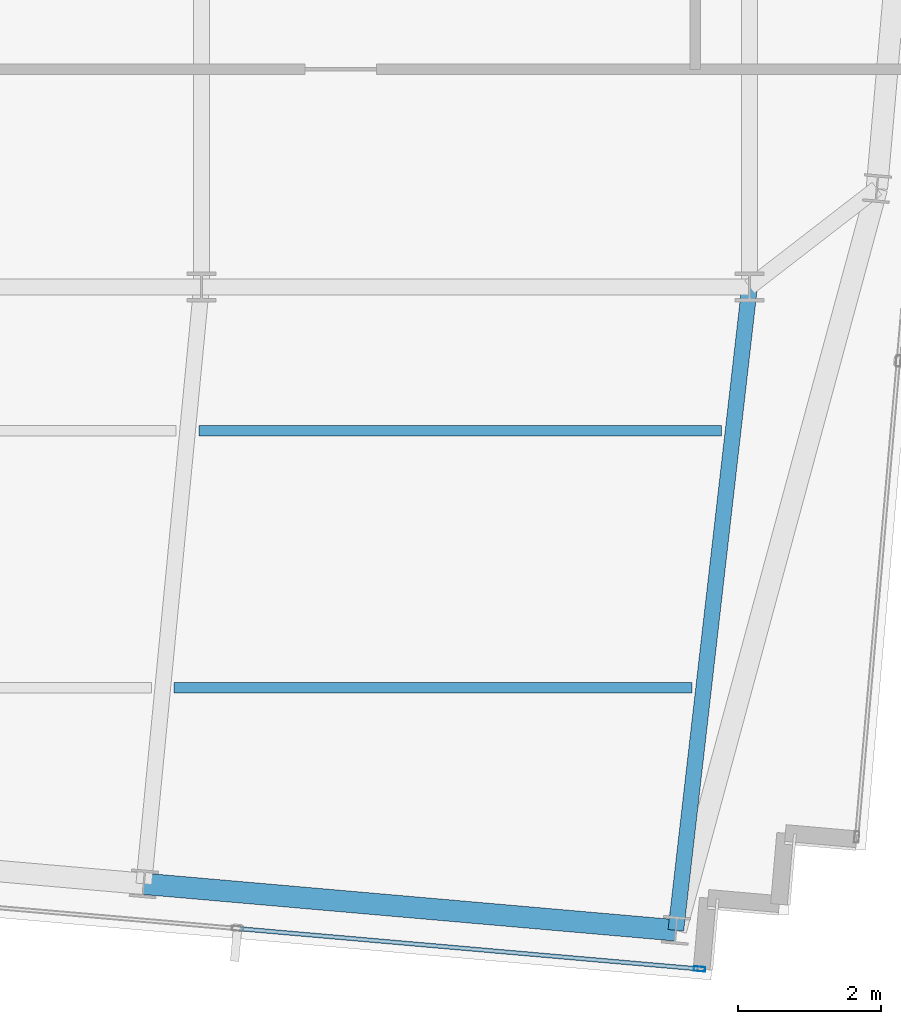
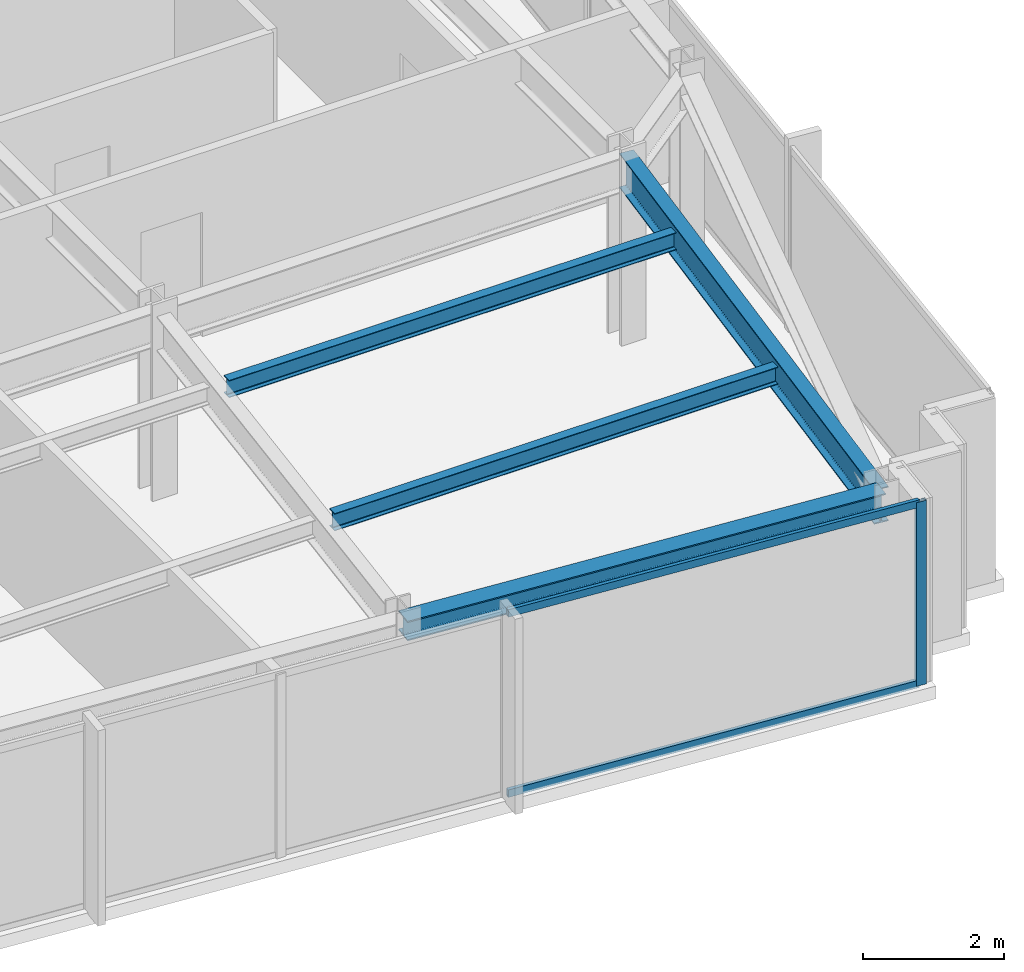
# One storey, part 14 of 32: 4 beams, 3 members, 1 element without a shape of its own.
"""IFC4 building model written with IfcOpenShell, lengths in metres."""

from ifc_helpers import new_model, si_unit, direction, frame, origin, origin_2d, place, context, subcontext, project, spatial, hollow_rectangle, i_section, extrude, material, material_profile, profile_set, type_object, element, aggregate, save


model = new_model("IFC4")

# Units and contexts
model_context = context("Model", 3, precision=1e-05, world=origin(), true_north=direction((0.0, 1.0)))
body_context = subcontext(model_context, "Body", "Model", "MODEL_VIEW")
ifc_project = project(units=[si_unit("LENGTHUNIT", "METRE"), si_unit("AREAUNIT", "SQUARE_METRE"), si_unit("VOLUMEUNIT", "CUBIC_METRE"), si_unit("PLANEANGLEUNIT", "RADIAN"), si_unit("MASSUNIT", "GRAM", prefix="KILO")], contexts=[model_context])

# Site, building, storey
site_placement = place(None, origin())
site = spatial("IfcSite", under=ifc_project, at=site_placement, CompositionType="ELEMENT")
building_placement = place(site_placement, origin())
building = spatial("IfcBuilding", under=site, at=building_placement, Name="Yelkora Congress Tower", CompositionType="ELEMENT")
storey_placement = place(building_placement, frame((0.0, 0.0, 269.300048828125)))
storey = spatial("IfcBuildingStorey", under=building, at=storey_placement, Name="L75", CompositionType="ELEMENT", Elevation=269.300048828125)

# Beams
ifc_material_1 = material(Name="Steel S355J2", Category="steel")
ifc_material_profile_1 = material_profile(ifc_material_1, i_section(OverallWidth=0.219970703125, OverallDepth=0.60009765625, WebThickness=0.011962890625, FlangeThickness=0.01904296875, FilletRadius=0.02392578125, at=origin_2d()), Name="IPE 600")
ifc_profile_set_1 = profile_set([ifc_material_profile_1], Name="Steel S355J2")
beam_type_1 = type_object("IfcBeamType", Name="BM-GIRD-IPE600", PredefinedType="BEAM", material=ifc_profile_set_1)
beam_1_placement = place(storey_placement, frame((52.727294921875, 16.1845703125, 2.8798828125), z_axis=(0.113806093355, 0.993502980929, 0.0), x_axis=(-0.993502980929, 0.113806093355, 0.0)))
element("IfcBeam", 1, at=beam_1_placement, inside=storey, type_object=beam_type_1, Name="L75 Primary Frame Girder S07", PredefinedType="BEAM", context=body_context, shape_type="SweptSolid", body=[
    extrude(i_section(OverallWidth=0.219970703125, OverallDepth=0.60009765625, WebThickness=0.011962890625, FlangeThickness=0.01904296875, FilletRadius=0.02392578125, at=origin_2d()), origin(), (0.0, 0.0, 1.0), 9.07421875),
])
ifc_material_profile_2 = material_profile(ifc_material_1, i_section(OverallWidth=0.14990234375, OverallDepth=0.300048828125, WebThickness=0.007080078125, FlangeThickness=0.0107421875, FilletRadius=0.014892578125, at=origin_2d()), Name="IPE 300")
ifc_profile_set_2 = profile_set([ifc_material_profile_2], Name="Steel S355J2")
beam_type_2 = type_object("IfcBeamType", Name="BM-JOIST-IPE300", PredefinedType="JOIST", material=ifc_profile_set_2)
beam_2_placement = place(storey_placement, frame((45.69775390625, 19.58447265625, 3.030029296875), z_axis=(1.0, 0.0, 0.0), x_axis=(0.0, 1.0, 0.0)))
element("IfcBeam", 2, at=beam_2_placement, inside=storey, type_object=beam_type_2, Name="L75 Composite Floor Joist 4", PredefinedType="JOIST", context=body_context, shape_type="SweptSolid", body=[
    extrude(i_section(OverallWidth=0.14990234375, OverallDepth=0.300048828125, WebThickness=0.007080078125, FlangeThickness=0.0107421875, FilletRadius=0.014892578125, at=origin_2d()), origin(), (0.0, 0.0, 1.0), 7.259033203125),
])
beam_3_placement = place(storey_placement, frame((46.04541015625, 23.1845703125, 3.030029296875), z_axis=(1.0, 0.0, 0.0), x_axis=(0.0, 1.0, 0.0)))
element("IfcBeam", 3, at=beam_3_placement, inside=storey, type_object=beam_type_2, Name="L75 Composite Floor Joist 8", PredefinedType="JOIST", context=body_context, shape_type="SweptSolid", body=[
    extrude(i_section(OverallWidth=0.14990234375, OverallDepth=0.300048828125, WebThickness=0.007080078125, FlangeThickness=0.0107421875, FilletRadius=0.014892578125, at=origin_2d()), origin(), (0.0, 0.0, 1.0), 7.32373046875),
])
ifc_material_profile_3 = material_profile(ifc_material_1, i_section(OverallWidth=0.300048828125, OverallDepth=0.340087890625, WebThickness=0.011962890625, FlangeThickness=0.021484375, FilletRadius=0.027099609375, at=origin_2d()), Name="HEB 340")
ifc_profile_set_3 = profile_set([ifc_material_profile_3], Name="Steel S355J2")
beam_type_3 = type_object("IfcBeamType", Name="BM-SPAN-HEB340", PredefinedType="SPANDREL", material=ifc_profile_set_3)
beam_4_placement = place(storey_placement, frame((45.2724609375, 16.836669921875, 3.010009765625), z_axis=(0.99619601894, -0.087140644067, 0.0), x_axis=(0.087140644067, 0.99619601894, 0.0)))
element("IfcBeam", 4, at=beam_4_placement, inside=storey, type_object=beam_type_3, Name="L75 Perimeter Beam 6", PredefinedType="SPANDREL", context=body_context, shape_type="SweptSolid", body=[
    extrude(i_section(OverallWidth=0.300048828125, OverallDepth=0.340087890625, WebThickness=0.011962890625, FlangeThickness=0.021484375, FilletRadius=0.027099609375, at=origin_2d()), origin(), (0.0, 0.0, 1.0), 7.4833984375),
])

# Curtain wall, members
ifc_material_2 = material(Name="Anodised aluminium and insulated glass", Category="aluminium")
curtain_wall_type = type_object("IfcCurtainWallType", Name="CW-SYS-B5", PredefinedType="NOTDEFINED", material=ifc_material_2)
curtain_wall_placement = place(storey_placement, origin())
curtain_wall = element("IfcCurtainWall", 5, at=curtain_wall_placement, inside=storey, type_object=curtain_wall_type, Name="L75 Unitised Curtain Wall 20", PredefinedType="NOTDEFINED")
ifc_material_3 = material(Name="Anodised aluminium 6063-T6", Category="aluminium")
ifc_material_profile_4 = material_profile(ifc_material_3, hollow_rectangle(XDim=0.06494140625, YDim=0.159912109375, WallThickness=0.00390625, at=origin_2d()), Name="ALU 65x160x4")
ifc_profile_set_4 = profile_set([ifc_material_profile_4], Name="Anodised aluminium 6063-T6")
member_type_1 = type_object("IfcMemberType", Name="MEM-ML-B5", PredefinedType="MULLION", material=ifc_profile_set_4)
member_1_placement = place(storey_placement, frame((53.058837890625, 15.6435546875, 0.0), z_axis=(0.0, 0.0, 1.0), x_axis=(-0.087156829793, -0.996194602987, 0.0)))
member_1 = element("IfcMember", 6, at=member_1_placement, type_object=member_type_1, Name="CW-B5 mullion 1", PredefinedType="MULLION", context=body_context, shape_type="SweptSolid", body=[
    extrude(hollow_rectangle(XDim=0.06494140625, YDim=0.159912109375, WallThickness=0.00390625, at=origin_2d()), origin(), (0.0, 0.0, 1.0), 3.179931640625),
])
ifc_material_profile_5 = material_profile(ifc_material_3, hollow_rectangle(XDim=0.06005859375, YDim=0.1298828125, WallThickness=0.00390625, at=origin_2d()), Name="ALU 60x130x4")
ifc_profile_set_5 = profile_set([ifc_material_profile_5], Name="Anodised aluminium 6063-T6")
member_type_2 = type_object("IfcMemberType", Name="MEM-TR-B5", PredefinedType="USERDEFINED", material=ifc_profile_set_5)
member_2_placement = place(storey_placement, frame((53.0263671875, 15.646484375, 0.030029296875), z_axis=(-0.996197464696, 0.087124114537, 0.0), x_axis=(-0.087124114537, -0.996197464696, 0.0)))
member_2 = element("IfcMember", 7, at=member_2_placement, type_object=member_type_2, Name="CW-B5 transom 1.1", ObjectType="TRANSOM", PredefinedType="USERDEFINED", context=body_context, shape_type="SweptSolid", body=[
    extrude(hollow_rectangle(XDim=0.06005859375, YDim=0.1298828125, WallThickness=0.00390625, at=origin_2d()), origin(), (0.0, 0.0, 1.0), 6.433837890625),
])
member_3_placement = place(storey_placement, frame((53.0263671875, 15.646484375, 3.14990234375), z_axis=(-0.996197464696, 0.087124114537, 0.0), x_axis=(-0.087124114537, -0.996197464696, 0.0)))
member_3 = element("IfcMember", 8, at=member_3_placement, type_object=member_type_2, Name="CW-B5 transom 1.2", ObjectType="TRANSOM", PredefinedType="USERDEFINED", context=body_context, shape_type="SweptSolid", body=[
    extrude(hollow_rectangle(XDim=0.06005859375, YDim=0.1298828125, WallThickness=0.00390625, at=origin_2d()), origin(), (0.0, 0.0, 1.0), 6.433837890625),
])
aggregate(curtain_wall, [member_1, member_2, member_3])

save(model, "model.ifc")
